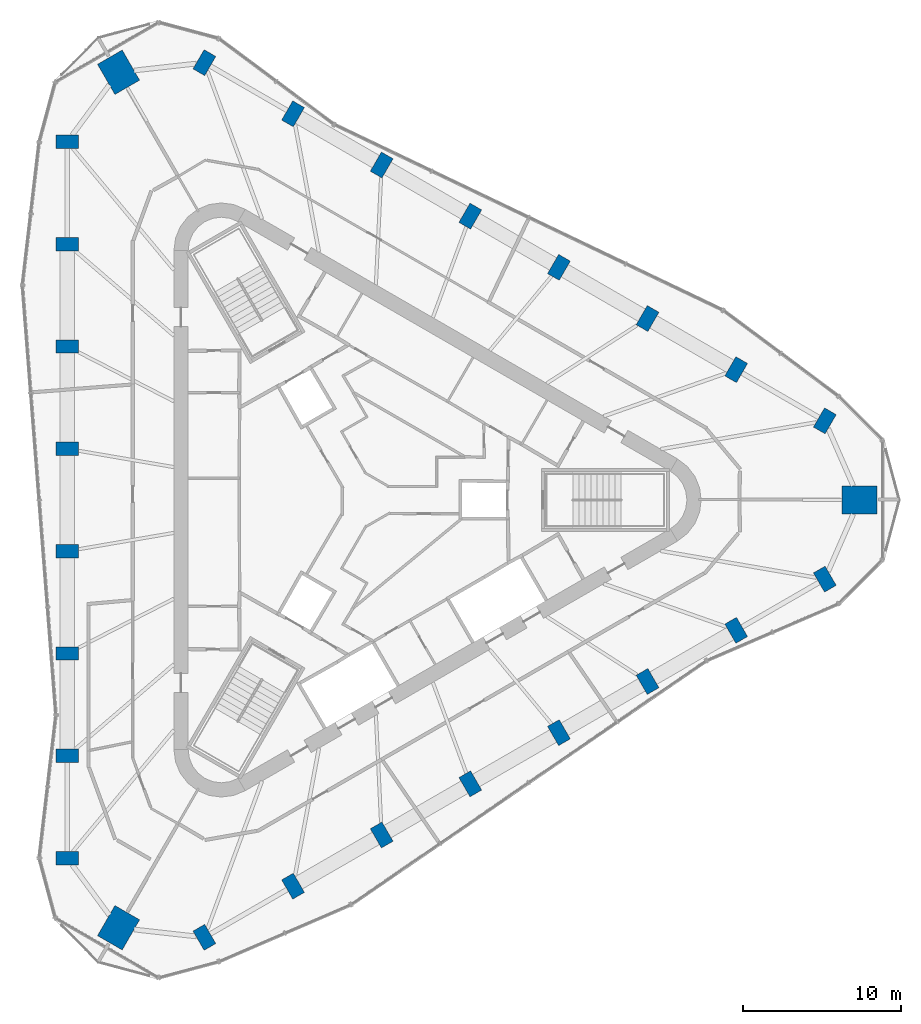
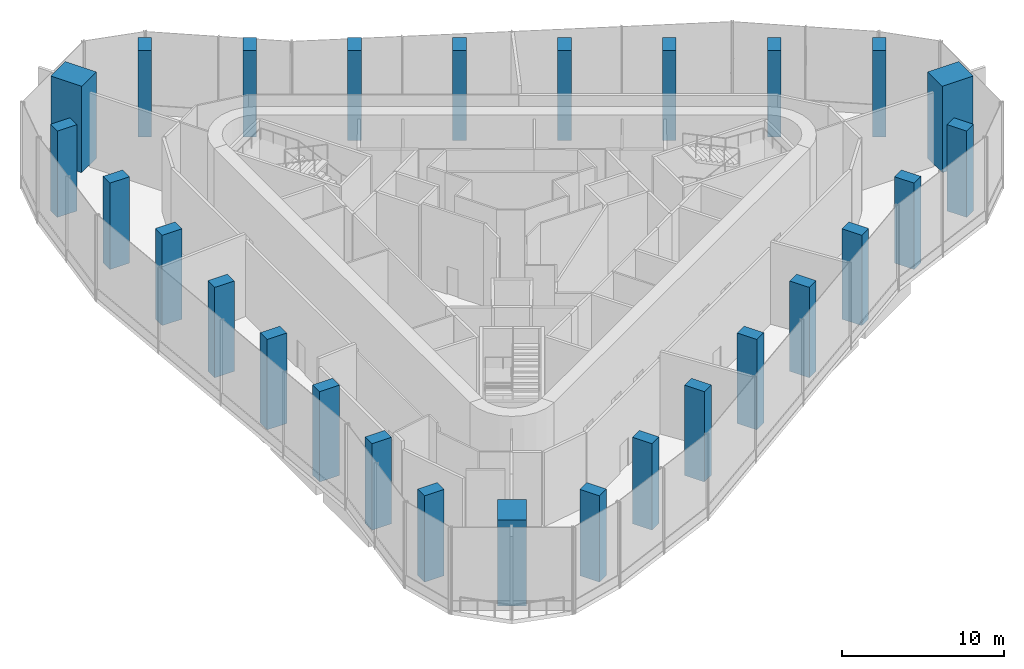
# One storey, part 1 of 13: 27 columns.
"""IFC4 building model written with IfcOpenShell, lengths in metres."""

from ifc_helpers import new_model, si_unit, direction, frame, origin, origin_2d, place, context, subcontext, project, spatial, rectangle, extrude, material, material_profile, profile_set, type_object, element, save


model = new_model("IFC4")

# Units and contexts
model_context = context("Model", 3, precision=1e-05, world=origin(), true_north=direction((0.0, 1.0)))
body_context = subcontext(model_context, "Body", "Model", "MODEL_VIEW")
ifc_project = project(units=[si_unit("LENGTHUNIT", "METRE"), si_unit("AREAUNIT", "SQUARE_METRE"), si_unit("VOLUMEUNIT", "CUBIC_METRE"), si_unit("PLANEANGLEUNIT", "RADIAN"), si_unit("MASSUNIT", "GRAM", prefix="KILO")], contexts=[model_context])

# Site, building, storey
site_placement = place(None, origin())
site = spatial("IfcSite", under=ifc_project, at=site_placement, CompositionType="ELEMENT")
building_placement = place(site_placement, origin())
building = spatial("IfcBuilding", under=site, at=building_placement, Name="Tanit Gate Tower", CompositionType="ELEMENT")
storey_placement = place(building_placement, frame((0.0, 0.0, 398.300048828125)))
storey = spatial("IfcBuildingStorey", under=building, at=storey_placement, Name="L91", CompositionType="ELEMENT", Elevation=398.300048828125)

# Columns
ifc_material_1 = material(Name="Concrete C40/50", Category="concrete")
ifc_material_profile_1 = material_profile(ifc_material_1, rectangle(XDim=2.199951171875, YDim=1.800048828125, at=origin_2d()), Name="RC 2200x1800")
ifc_profile_set_1 = profile_set([ifc_material_profile_1], Name="Concrete C40/50")
column_type_1 = type_object("IfcColumnType", Name="MEGA COLUMN 2200x1800 C40/50", PredefinedType="COLUMN", material=ifc_profile_set_1)
for number, where, z_axis, x_axis, name in (
    (1, (31.19580078125, 0.0, 0.0), (0.0, 0.0, 1.0), (1.0, 0.0, 0.0), "MEGA COLUMN"),
    (2, (-15.597900390625, 27.016357421875, 0.0), (0.0, 0.0, 1.0), (-0.5, 0.866025403784, 0.0), "MEGA COLUMN"),
    (3, (-15.597900390625, -27.016357421875, 0.0), (0.0, 0.0, 1.0), (-0.5, -0.866025403784, 0.0), "MEGA COLUMN"),
):
    element("IfcColumn", number, at=place(storey_placement, frame(where, z_axis=z_axis, x_axis=x_axis)), inside=storey, type_object=column_type_1, Name=name, PredefinedType="COLUMN", context=body_context, shape_type="SweptSolid", body=[
        extrude(rectangle(XDim=2.199951171875, YDim=1.800048828125, at=origin_2d()), origin(), (0.0, 0.0, 1.0), 6.5),
    ])
ifc_material_2 = material(Name="Concrete C40/50", Category="concrete")
ifc_material_profile_2 = material_profile(ifc_material_2, rectangle(XDim=1.39990234375, YDim=0.85009765625, at=origin_2d()), Name="RC 1400x850")
ifc_profile_set_2 = profile_set([ifc_material_profile_2], Name="Concrete C40/50")
column_type_2 = type_object("IfcColumnType", Name="PERIMETER COLUMN 1400x850 C40/50", PredefinedType="COLUMN", material=ifc_profile_set_2)
for number, where, z_axis, x_axis, name in (
    (4, (-18.833984375, 22.62353515625, 0.0), (0.0, 0.0, 1.0), (-1.0, 0.0, 0.0), "PERIMETER COLUMN"),
    (5, (-18.833984375, 16.15966796875, 0.0), (0.0, 0.0, 1.0), (-1.0, 0.0, 0.0), "PERIMETER COLUMN"),
):
    element("IfcColumn", number, at=place(storey_placement, frame(where, z_axis=z_axis, x_axis=x_axis)), inside=storey, type_object=column_type_2, Name=name, PredefinedType="COLUMN", context=body_context, shape_type="SweptSolid", body=[
        extrude(rectangle(XDim=1.39990234375, YDim=0.85009765625, at=origin_2d()), origin(), (0.0, 0.0, 1.0), 6.5),
    ])
for number, where, z_axis, x_axis, name in (
    (6, (-18.833984375, 9.69580078125, -0.300048828125), (0.0, 0.0, 1.0), (-1.0, 0.0, 0.0), "PERIMETER COLUMN"),
    (7, (-18.833984375, 3.23193359375, -0.300048828125), (0.0, 0.0, 1.0), (-1.0, 0.0, 0.0), "PERIMETER COLUMN"),
    (8, (-18.833984375, -3.23193359375, -0.300048828125), (0.0, 0.0, 1.0), (-1.0, 0.0, 0.0), "PERIMETER COLUMN"),
    (9, (-18.833984375, -9.69580078125, -0.300048828125), (0.0, 0.0, 1.0), (-1.0, 0.0, 0.0), "PERIMETER COLUMN"),
):
    element("IfcColumn", number, at=place(storey_placement, frame(where, z_axis=z_axis, x_axis=x_axis)), inside=storey, type_object=column_type_2, Name=name, PredefinedType="COLUMN", context=body_context, shape_type="SweptSolid", body=[
        extrude(rectangle(XDim=1.39990234375, YDim=0.85009765625, at=origin_2d()), origin(), (0.0, 0.0, 1.0), 6.800048828125),
    ])
for number, where, z_axis, x_axis, name in (
    (10, (-18.833984375, -16.15966796875, 0.0), (0.0, 0.0, 1.0), (-1.0, 0.0, 0.0), "PERIMETER COLUMN"),
    (11, (-18.833984375, -22.62353515625, 0.0), (0.0, 0.0, 1.0), (-1.0, 0.0, 0.0), "PERIMETER COLUMN"),
    (12, (29.009521484375, 4.998779296875, 0.0), (0.0, 0.0, 1.0), (0.5, 0.866025403784, 0.0), "PERIMETER COLUMN"),
    (13, (23.41162109375, 8.230712890625, 0.0), (0.0, 0.0, 1.0), (0.5, 0.866025403784, 0.0), "PERIMETER COLUMN"),
):
    element("IfcColumn", number, at=place(storey_placement, frame(where, z_axis=z_axis, x_axis=x_axis)), inside=storey, type_object=column_type_2, Name=name, PredefinedType="COLUMN", context=body_context, shape_type="SweptSolid", body=[
        extrude(rectangle(XDim=1.39990234375, YDim=0.85009765625, at=origin_2d()), origin(), (0.0, 0.0, 1.0), 6.5),
    ])
for number, where, z_axis, x_axis, name in (
    (14, (17.813720703125, 11.462890625, -0.300048828125), (0.0, 0.0, 1.0), (0.5, 0.866025403784, 0.0), "PERIMETER COLUMN"),
    (15, (12.2158203125, 14.694580078125, -0.300048828125), (0.0, 0.0, 1.0), (0.5, 0.866025403784, 0.0), "PERIMETER COLUMN"),
    (16, (6.617919921875, 17.9267578125, -0.300048828125), (0.0, 0.0, 1.0), (0.5, 0.866025403784, 0.0), "PERIMETER COLUMN"),
    (17, (1.02001953125, 21.15869140625, -0.300048828125), (0.0, 0.0, 1.0), (0.5, 0.866025403784, 0.0), "PERIMETER COLUMN"),
):
    element("IfcColumn", number, at=place(storey_placement, frame(where, z_axis=z_axis, x_axis=x_axis)), inside=storey, type_object=column_type_2, Name=name, PredefinedType="COLUMN", context=body_context, shape_type="SweptSolid", body=[
        extrude(rectangle(XDim=1.39990234375, YDim=0.85009765625, at=origin_2d()), origin(), (0.0, 0.0, 1.0), 6.800048828125),
    ])
for number, where, z_axis, x_axis, name in (
    (18, (-4.577880859375, 24.390625, 0.0), (0.0, 0.0, 1.0), (0.5, 0.866025403784, 0.0), "PERIMETER COLUMN"),
    (19, (-10.17578125, 27.62255859375, 0.0), (0.0, 0.0, 1.0), (0.5, 0.866025403784, 0.0), "PERIMETER COLUMN"),
    (20, (-10.17578125, -27.62255859375, 0.0), (0.0, 0.0, 1.0), (0.5, -0.866025403784, 0.0), "PERIMETER COLUMN"),
    (21, (-4.577880859375, -24.390625, 0.0), (0.0, 0.0, 1.0), (0.5, -0.866025403784, 0.0), "PERIMETER COLUMN"),
):
    element("IfcColumn", number, at=place(storey_placement, frame(where, z_axis=z_axis, x_axis=x_axis)), inside=storey, type_object=column_type_2, Name=name, PredefinedType="COLUMN", context=body_context, shape_type="SweptSolid", body=[
        extrude(rectangle(XDim=1.39990234375, YDim=0.85009765625, at=origin_2d()), origin(), (0.0, 0.0, 1.0), 6.5),
    ])
for number, where, z_axis, x_axis, name in (
    (22, (1.02001953125, -21.15869140625, -0.300048828125), (0.0, 0.0, 1.0), (0.5, -0.866025403784, 0.0), "PERIMETER COLUMN"),
    (23, (6.617919921875, -17.9267578125, -0.300048828125), (0.0, 0.0, 1.0), (0.5, -0.866025403784, 0.0), "PERIMETER COLUMN"),
    (24, (12.2158203125, -14.694580078125, -0.300048828125), (0.0, 0.0, 1.0), (0.5, -0.866025403784, 0.0), "PERIMETER COLUMN"),
    (25, (17.813720703125, -11.462890625, -0.300048828125), (0.0, 0.0, 1.0), (0.5, -0.866025403784, 0.0), "PERIMETER COLUMN"),
):
    element("IfcColumn", number, at=place(storey_placement, frame(where, z_axis=z_axis, x_axis=x_axis)), inside=storey, type_object=column_type_2, Name=name, PredefinedType="COLUMN", context=body_context, shape_type="SweptSolid", body=[
        extrude(rectangle(XDim=1.39990234375, YDim=0.85009765625, at=origin_2d()), origin(), (0.0, 0.0, 1.0), 6.800048828125),
    ])
for number, where, z_axis, x_axis, name in (
    (26, (23.41162109375, -8.230712890625, 0.0), (0.0, 0.0, 1.0), (0.5, -0.866025403784, 0.0), "PERIMETER COLUMN"),
    (27, (29.009521484375, -4.998779296875, 0.0), (0.0, 0.0, 1.0), (0.5, -0.866025403784, 0.0), "PERIMETER COLUMN"),
):
    element("IfcColumn", number, at=place(storey_placement, frame(where, z_axis=z_axis, x_axis=x_axis)), inside=storey, type_object=column_type_2, Name=name, PredefinedType="COLUMN", context=body_context, shape_type="SweptSolid", body=[
        extrude(rectangle(XDim=1.39990234375, YDim=0.85009765625, at=origin_2d()), origin(), (0.0, 0.0, 1.0), 6.5),
    ])

save(model, "model.ifc")
